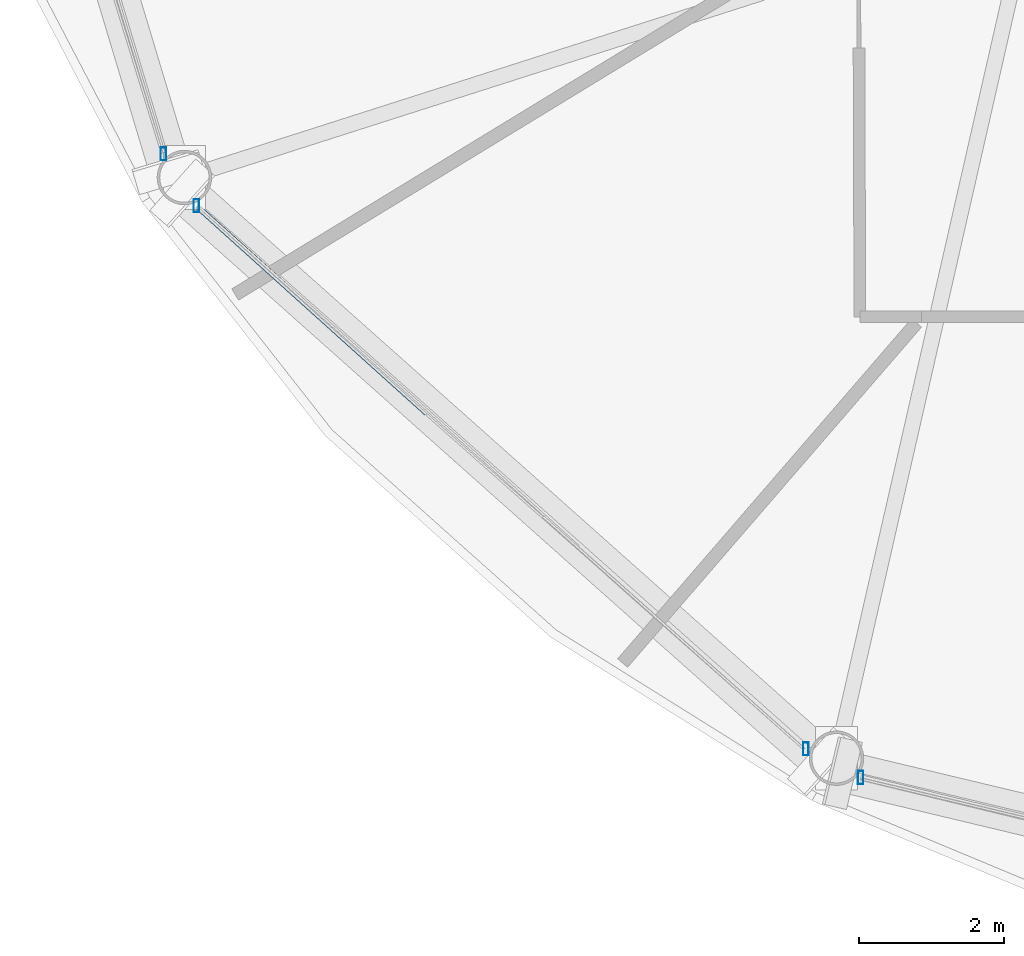
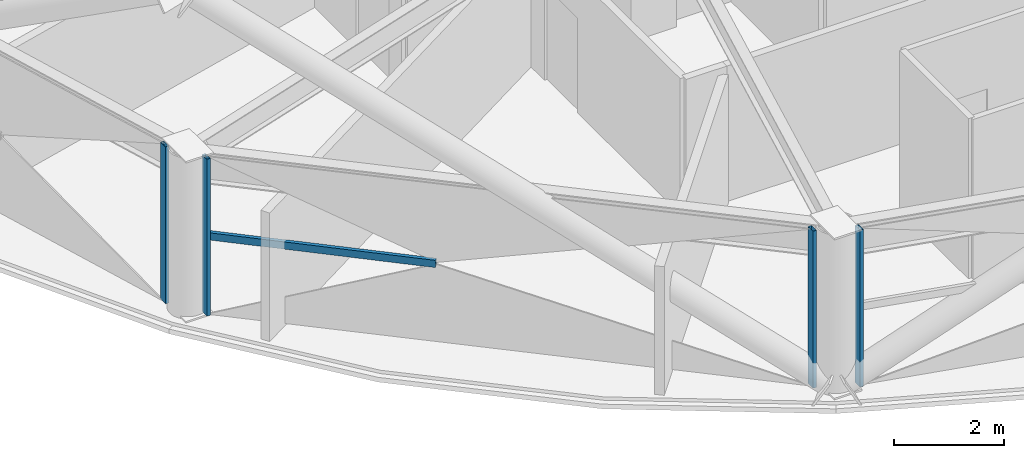
# One storey, part 2 of 29: 5 members, 3 elements without a shape of their own.
"""IFC4 building model written with IfcOpenShell, lengths in metres."""

from ifc_helpers import new_model, si_unit, direction, frame, origin, origin_2d, place, context, subcontext, project, spatial, hollow_rectangle, extrude, material, layer, layer_set, material_profile, profile_set, type_object, element, aggregate, save


model = new_model("IFC4")

# Units and contexts
model_context = context("Model", 3, precision=1e-05, world=origin(), true_north=direction((0.0, 1.0)))
body_context = subcontext(model_context, "Body", "Model", "MODEL_VIEW")
ifc_project = project(units=[si_unit("LENGTHUNIT", "METRE"), si_unit("AREAUNIT", "SQUARE_METRE"), si_unit("VOLUMEUNIT", "CUBIC_METRE"), si_unit("PLANEANGLEUNIT", "RADIAN"), si_unit("MASSUNIT", "GRAM", prefix="KILO")], contexts=[model_context])

# Site, building, storey
site_placement = place(None, origin())
site = spatial("IfcSite", under=ifc_project, at=site_placement, CompositionType="ELEMENT")
building_placement = place(site_placement, origin())
building = spatial("IfcBuilding", under=site, at=building_placement, Name="Vantalir Tower", CompositionType="ELEMENT")
storey_placement = place(building_placement, frame((0.0, 0.0, 164.699951171875)))
storey = spatial("IfcBuildingStorey", under=building, at=storey_placement, Name="L41", CompositionType="ELEMENT", Elevation=164.699951171875)

# Curtain wall, member
ifc_material_1 = material(Name="Champagne-silver PVDF aluminium and double-silver Low-E glass", Category="aluminium")
ifc_layer = layer(ifc_material_1, 0.199951171875)
ifc_layer_set = layer_set([ifc_layer], Name="Champagne-silver PVDF aluminium and double-silver Low-E glass")
curtain_wall_type = type_object("IfcCurtainWallType", Name="CW-DIAMOND-Z2", PredefinedType="USERDEFINED", material=ifc_layer_set)
curtain_wall_1_placement = place(storey_placement, origin())
curtain_wall_1 = element("IfcCurtainWall", 1, at=curtain_wall_1_placement, inside=storey, type_object=curtain_wall_type, Name="L41 Quilted Pyramid-Diamond Curtain Wall S07", ObjectType="UNITISED CURTAIN WALL", PredefinedType="USERDEFINED")
ifc_material_2 = material(Name="Champagne-silver PVDF aluminium 6063-T6", Category="aluminium")
ifc_material_profile_1 = material_profile(ifc_material_2, hollow_rectangle(XDim=0.074951171875, YDim=0.179931640625, WallThickness=0.00390625, at=origin_2d()), Name="Champagne-silver PVDF aluminium 6063-T6")
ifc_profile_set_1 = profile_set([ifc_material_profile_1], Name="Champagne-silver PVDF aluminium 6063-T6")
member_type_1 = type_object("IfcMemberType", Name="CWM-180x75", PredefinedType="MULLION", material=ifc_profile_set_1)
member_1_placement = place(storey_placement, frame((9.9599609375, 14.402099609375, 0.045166015625), z_axis=(0.0, 0.0, 1.0), x_axis=(1.0, 0.0, 0.0)))
member_1 = element("IfcMember", 2, at=member_1_placement, type_object=member_type_1, Name="CW-L41-S07 Mullion 2", PredefinedType="MULLION", context=body_context, shape_type="SweptSolid", body=[
    extrude(hollow_rectangle(XDim=0.074951171875, YDim=0.179931640625, WallThickness=0.00390625, at=origin_2d()), origin(), (0.0, 0.0, 1.0), 3.47998046875),
])
aggregate(curtain_wall_1, [member_1])

# Curtain wall, members
curtain_wall_2_placement = place(storey_placement, origin())
curtain_wall_2 = element("IfcCurtainWall", 3, at=curtain_wall_2_placement, inside=storey, type_object=curtain_wall_type, Name="L41 Quilted Pyramid-Diamond Curtain Wall S08", ObjectType="UNITISED CURTAIN WALL", PredefinedType="USERDEFINED")
member_2_placement = place(storey_placement, frame((10.4150390625, 13.68798828125, 0.045166015625), z_axis=(0.0, 0.0, 1.0), x_axis=(1.0, 0.0, 0.0)))
member_2 = element("IfcMember", 4, at=member_2_placement, type_object=member_type_1, Name="CW-L41-S08 Mullion 1", PredefinedType="MULLION", context=body_context, shape_type="SweptSolid", body=[
    extrude(hollow_rectangle(XDim=0.074951171875, YDim=0.179931640625, WallThickness=0.00390625, at=origin_2d()), origin(), (0.0, 0.0, 1.0), 3.47998046875),
])
member_3_placement = place(storey_placement, frame((18.80908203125, 6.2080078125, 0.045166015625), z_axis=(0.0, 0.0, 1.0), x_axis=(1.0, 0.0, 0.0)))
member_3 = element("IfcMember", 5, at=member_3_placement, type_object=member_type_1, Name="CW-L41-S08 Mullion 2", PredefinedType="MULLION", context=body_context, shape_type="SweptSolid", body=[
    extrude(hollow_rectangle(XDim=0.074951171875, YDim=0.179931640625, WallThickness=0.00390625, at=origin_2d()), origin(), (0.0, 0.0, 1.0), 3.47998046875),
])

# Curtain wall, member
curtain_wall_3_placement = place(storey_placement, origin())
curtain_wall_3 = element("IfcCurtainWall", 6, at=curtain_wall_3_placement, inside=storey, type_object=curtain_wall_type, Name="L41 Quilted Pyramid-Diamond Curtain Wall S09", ObjectType="UNITISED CURTAIN WALL", PredefinedType="USERDEFINED")
member_4_placement = place(storey_placement, frame((19.56494140625, 5.81298828125, 0.045166015625), z_axis=(0.0, 0.0, 1.0), x_axis=(1.0, 0.0, 0.0)))
member_4 = element("IfcMember", 7, at=member_4_placement, type_object=member_type_1, Name="CW-L41-S09 Mullion 1", PredefinedType="MULLION", context=body_context, shape_type="SweptSolid", body=[
    extrude(hollow_rectangle(XDim=0.074951171875, YDim=0.179931640625, WallThickness=0.00390625, at=origin_2d()), origin(), (0.0, 0.0, 1.0), 3.47998046875),
])
aggregate(curtain_wall_3, [member_4])

# Member
ifc_material_profile_2 = material_profile(ifc_material_2, hollow_rectangle(XDim=0.074951171875, YDim=0.159912109375, WallThickness=0.00390625, at=origin_2d()), Name="Champagne-silver PVDF aluminium 6063-T6")
ifc_profile_set_2 = profile_set([ifc_material_profile_2], Name="Champagne-silver PVDF aluminium 6063-T6")
member_type_2 = type_object("IfcMemberType", Name="CWT-160x75", PredefinedType="USERDEFINED", material=ifc_profile_set_2)
member_5_placement = place(storey_placement, frame((10.4150390625, 13.68798828125, 1.78515625), z_axis=(0.742929970693, -0.669369149757, 0.0), x_axis=(0.669369149757, 0.742929970693, 0.0)))
member_5 = element("IfcMember", 8, at=member_5_placement, type_object=member_type_2, Name="CW-L41-S08 Pyramid Fold Ridge Transom", ObjectType="TRANSOM", PredefinedType="USERDEFINED", context=body_context, shape_type="SweptSolid", body=[
    extrude(hollow_rectangle(XDim=0.074951171875, YDim=0.159912109375, WallThickness=0.00390625, at=origin_2d()), origin(), (0.0, 0.0, 1.0), 4.26806640625),
])

aggregate(curtain_wall_2, [member_2, member_3, member_5])

save(model, "model.ifc")
